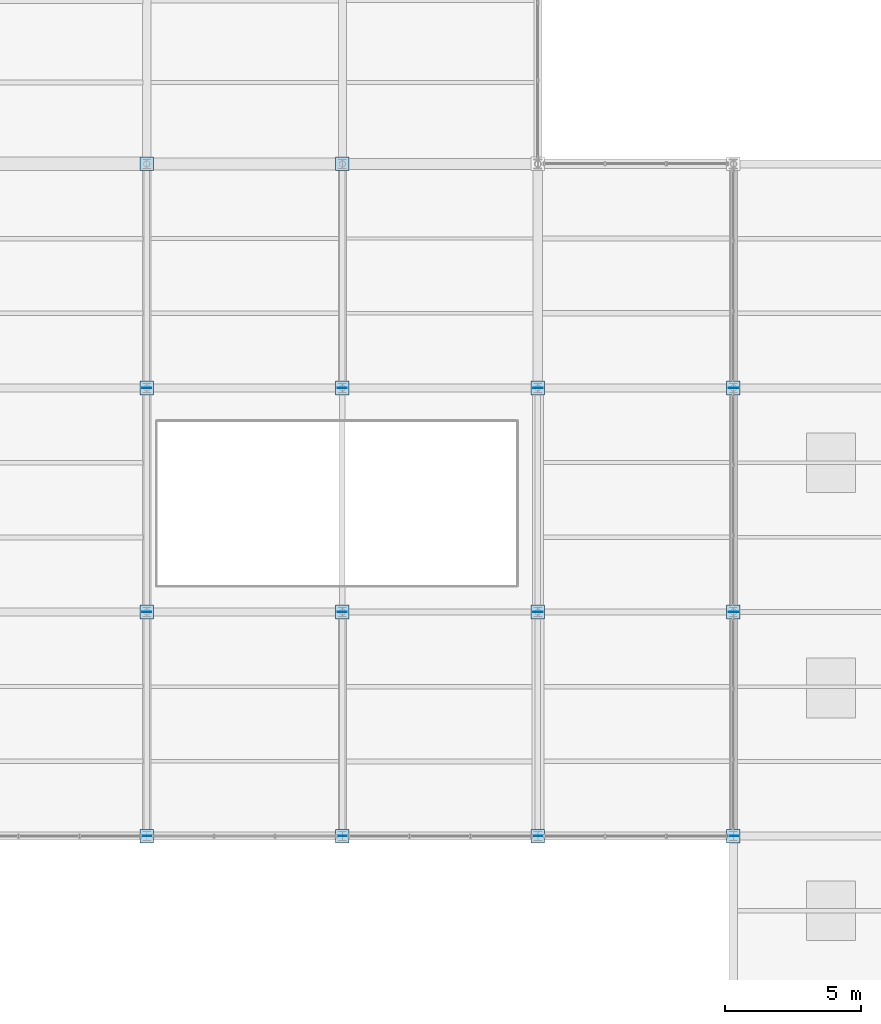
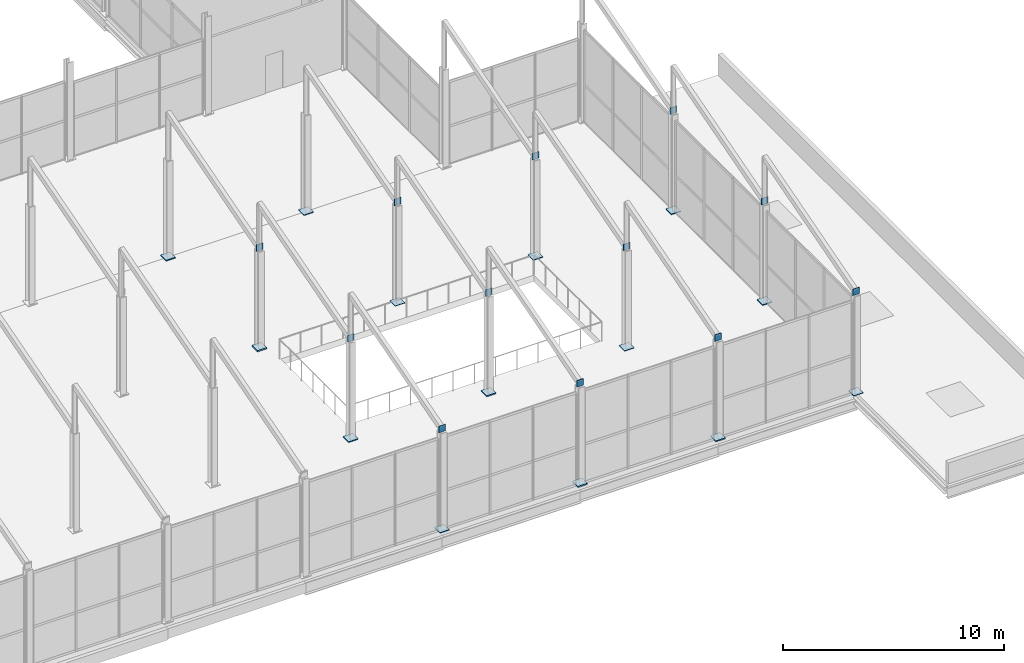
# One storey, part 115 of 141: 26 plates.
"""IFC4 building model written with IfcOpenShell, lengths in metres."""

import ifcopenshell
import ifcopenshell.guid

model = None  # the IFC model being written
_history = None  # IfcOwnerHistory: only IFC2X3 demands one
_inside = {}  # id of a spatial element -> (the spatial element, [elements in it])
_under = {}  # id of a project, library or spatial element -> (it, [spatial elements below it])
_declared = {}  # id of a project -> (the project, [libraries it declares])
_typed = {}  # id of a type object -> (the type object, [elements of that type])
_made_of = {}  # id of a material, layer set ... -> (it, [elements and type objects made of it])


def new_model(schema):
    """Start an empty IFC model of exactly this schema.

    Asked for "IFC4X3", IfcOpenShell would pick the latest addendum, in which some entities
    have other attributes; the version numbers below select the first issue.
    IFC2X3 requires an IfcOwnerHistory on every rooted entity: one is made here for all.
    """
    global model, _history
    if schema == "IFC4X3":
        model = ifcopenshell.file(schema_version=(4, 3, 0, 0))
    else:
        model = ifcopenshell.file(schema=schema)
    _inside.clear()
    _under.clear()
    _declared.clear()
    _typed.clear()
    _made_of.clear()
    _history = None
    if model.schema == "IFC2X3":
        org = make("IfcOrganization", Name="unknown")
        user = make(
            "IfcPersonAndOrganization",
            ThePerson=make("IfcPerson", FamilyName="unknown"),
            TheOrganization=org,
        )
        app = make(
            "IfcApplication",
            ApplicationDeveloper=org,
            Version="unknown",
            ApplicationFullName="unknown",
            ApplicationIdentifier="unknown",
        )
        _history = make(
            "IfcOwnerHistory",
            OwningUser=user,
            OwningApplication=app,
            ChangeAction="ADDED",
            CreationDate=0,
        )
    return model


def make(cls, **values):
    """One entity of the class cls with the attributes given. An attribute that is None is left unset."""
    return model.create_entity(
        cls, **{name: value for name, value in values.items() if value is not None}
    )


def rooted(cls, **values):
    """An entity with a GlobalId (a new one), such as an element, a storey or a relation."""
    return make(cls, GlobalId=ifcopenshell.guid.new(), OwnerHistory=_history, **values)


def si_unit(unit_type, name, prefix=None):
    """IfcSIUnit, for example si_unit("LENGTHUNIT", "METRE", prefix="MILLI")."""
    return make("IfcSIUnit", UnitType=unit_type, Prefix=prefix, Name=name)


def assignment(units):
    """IfcUnitAssignment: the units of a project."""
    return None if units is None else make("IfcUnitAssignment", Units=units)


def point(xyz):
    """IfcCartesianPoint."""
    return None if xyz is None else make("IfcCartesianPoint", Coordinates=xyz)


def direction(xyz):
    """IfcDirection."""
    return None if xyz is None else make("IfcDirection", DirectionRatios=xyz)


def frame(location, z_axis=None, x_axis=None):
    """IfcAxis2Placement3D, a coordinate frame: its origin and axes. An axis left out is left unset."""
    return make(
        "IfcAxis2Placement3D",
        Location=point(location),
        Axis=direction(z_axis),
        RefDirection=direction(x_axis),
    )


def frame_2d(location, x_axis=None):
    """IfcAxis2Placement2D, a coordinate frame in the plane: its origin and x axis."""
    return make(
        "IfcAxis2Placement2D", Location=point(location), RefDirection=direction(x_axis)
    )


def origin():
    """The frame at (0, 0, 0) with its axes left unset."""
    return frame((0.0, 0.0, 0.0))


def origin_2d():
    """The frame at (0, 0) in the plane with its x axis left unset."""
    return frame_2d((0.0, 0.0))


def place(relative_to, where):
    """IfcLocalPlacement: puts the frame where relative to a parent placement (None: the world)."""
    return make(
        "IfcLocalPlacement", PlacementRelTo=relative_to, RelativePlacement=where
    )


def context(
    kind, dimensions, precision=None, world=None, true_north=None, identifier=None
):
    """IfcGeometricRepresentationContext, for example the 3D "Model" context."""
    return make(
        "IfcGeometricRepresentationContext",
        ContextIdentifier=identifier,
        ContextType=kind,
        CoordinateSpaceDimension=dimensions,
        Precision=precision,
        WorldCoordinateSystem=world,
        TrueNorth=true_north,
    )


def subcontext(parent, identifier, kind, view, scale=None):
    """IfcGeometricRepresentationSubContext, for example "Body" below "Model"."""
    return make(
        "IfcGeometricRepresentationSubContext",
        ContextIdentifier=identifier,
        ContextType=kind,
        ParentContext=parent,
        TargetScale=scale,
        TargetView=view,
    )


def project(units=None, contexts=None):
    """IfcProject with its units and contexts."""
    return rooted(
        "IfcProject",
        Name="project",
        RepresentationContexts=contexts,
        UnitsInContext=assignment(units),
    )


def spatial(cls, under=None, at=None, **own):
    """A site, building, storey or space (cls), placed at a placement, below another one or the project."""
    s = rooted(cls, ObjectPlacement=at, **own)
    if under is not None:
        _under.setdefault(under.id(), (under, []))[1].append(s)
    return s


def profile(cls, at=None, kind="AREA", **sizes):
    """A parametric profile (cls). Its sizes go by their IFC names, for example OverallWidth=200.0."""
    return make(cls, ProfileType=kind, Position=at, **sizes)


def rectangle(**sizes):
    """IfcRectangleProfileDef."""
    return profile("IfcRectangleProfileDef", **sizes)


def extrude(swept, where, along, depth):
    """IfcExtrudedAreaSolid: the profile swept, set in the frame where, extruded along a direction by depth."""
    return make(
        "IfcExtrudedAreaSolid",
        SweptArea=swept,
        Position=where,
        ExtrudedDirection=direction(along),
        Depth=depth,
    )


def shape(context_of_items, identifier, shape_type, items):
    """IfcShapeRepresentation: the items that make up one representation, for example the "Body"."""
    return make(
        "IfcShapeRepresentation",
        ContextOfItems=context_of_items,
        RepresentationIdentifier=identifier,
        RepresentationType=shape_type,
        Items=items,
    )


def material(Name=None, Category=None):
    """IfcMaterial."""
    return make("IfcMaterial", Name=Name, Category=Category)


def layer(
    of_material, thickness, ventilated=None, Name=None, Category=None, Priority=None
):
    """IfcMaterialLayer: one layer of a wall or slab, of a material (None: an air gap)."""
    return make(
        "IfcMaterialLayer",
        Material=of_material,
        LayerThickness=thickness,
        IsVentilated=ventilated,
        Name=Name,
        Category=Category,
        Priority=Priority,
    )


def layer_set(layers, Name=None):
    """IfcMaterialLayerSet."""
    return make("IfcMaterialLayerSet", MaterialLayers=layers, LayerSetName=Name)


def made_of(thing, what):
    """Note that an element or type object is made of a material, layer set ...; save() writes the relation."""
    if what is not None:
        _made_of.setdefault(what.id(), (what, []))[1].append(thing)
    return thing


def type_object(cls, material=None, **own):
    """A type object (cls), such as IfcWallType, which elements share."""
    return made_of(rooted(cls, **own), material)


def element(
    cls,
    number,
    at=None,
    inside=None,
    cuts=None,
    type_object=None,
    material=None,
    context=None,
    identifier="Body",
    shape_type=None,
    held_by="IfcProductDefinitionShape",
    body=None,
    shapes=None,
    **own,
):
    """One element of the class cls, such as IfcWall. Its Tag is "e" and its number.

    at: its placement. inside: the storey or other place that contains it. cuts: it is an
    opening in that element (IfcRelVoidsElement). A single representation is given by context,
    identifier, shape_type and body (its items); several are given by shapes. held_by: the class
    of the entity that holds the representations. save() writes the other relations.
    """
    e = rooted(cls, Tag="e%d" % number, ObjectPlacement=at, **own)
    if body is not None:
        shapes = [shape(context, identifier, shape_type, body)]
    if shapes is not None:
        e.Representation = make(held_by, Representations=shapes)
    if inside is not None:
        _inside.setdefault(inside.id(), (inside, []))[1].append(e)
    if cuts is not None:
        rooted(
            "IfcRelVoidsElement", RelatingBuildingElement=cuts, RelatedOpeningElement=e
        )
    if type_object is not None:
        _typed.setdefault(type_object.id(), (type_object, []))[1].append(e)
    return made_of(e, material)


def aggregate(whole, parts):
    """IfcRelAggregates: a whole, such as a stair, and the parts it consists of."""
    return rooted("IfcRelAggregates", RelatingObject=whole, RelatedObjects=parts)


def save(model, path):
    """Write the relations noted so far, then the file.

    IfcRelAggregates (storeys below a building ...), IfcRelContainedInSpatialStructure (elements
    in a storey), IfcRelDefinesByType, IfcRelAssociatesMaterial and IfcRelDeclares: one each for
    every whole, place, type object, material and project.
    """
    for whole, parts in _under.values():
        aggregate(whole, parts)
    for where, things in _inside.values():
        rooted(
            "IfcRelContainedInSpatialStructure",
            RelatedElements=things,
            RelatingStructure=where,
        )
    for kind, things in _typed.values():
        rooted("IfcRelDefinesByType", RelatedObjects=things, RelatingType=kind)
    for what, things in _made_of.values():
        rooted("IfcRelAssociatesMaterial", RelatedObjects=things, RelatingMaterial=what)
    for by, libraries in _declared.values():
        rooted("IfcRelDeclares", RelatingContext=by, RelatedDefinitions=libraries)
    model.write(path)


model = new_model("IFC4")

# Units and contexts
model_context = context("Model", 3, precision=1e-05, world=origin(), true_north=direction((0.0, 1.0)))
body_context = subcontext(model_context, "Body", "Model", "MODEL_VIEW")
ifc_project = project(units=[si_unit("LENGTHUNIT", "METRE"), si_unit("AREAUNIT", "SQUARE_METRE"), si_unit("VOLUMEUNIT", "CUBIC_METRE"), si_unit("PLANEANGLEUNIT", "RADIAN"), si_unit("MASSUNIT", "GRAM", prefix="KILO")], contexts=[model_context])

# Site, building, storey
site_placement = place(None, origin())
site = spatial("IfcSite", under=ifc_project, at=site_placement, CompositionType="ELEMENT")
building_placement = place(site_placement, origin())
building = spatial("IfcBuilding", under=site, at=building_placement, Name="Sundgate Opera House", CompositionType="ELEMENT")
storey_placement = place(building_placement, frame((0.0, 0.0, 11.39990234375)))
storey = spatial("IfcBuildingStorey", under=building, at=storey_placement, Name="L02", CompositionType="ELEMENT", Elevation=11.39990234375)

# Plates
ifc_material_1 = material(Name="Steel S355J2", Category="steel")
ifc_layer_1 = layer(ifc_material_1, 0.02587890625)
ifc_layer_set_1 = layer_set([ifc_layer_1], Name="Steel S355J2")
plate_type_1 = type_object("IfcPlateType", Name="PT-BAS-26", PredefinedType="USERDEFINED", material=ifc_layer_set_1)
plate_1_placement = place(storey_placement, frame((138.60009765625, 24.75, 0.000244140625), z_axis=(0.0, 0.0, 1.0), x_axis=(1.0, 0.0, 0.0)))
element("IfcPlate", 1, at=plate_1_placement, inside=storey, type_object=plate_type_1, Name="L02 Base Plate PT0340", ObjectType="BASE PLATE", PredefinedType="USERDEFINED", context=body_context, shape_type="SweptSolid", body=[
    extrude(rectangle(XDim=0.5, YDim=0.5, at=origin_2d()), origin(), (0.0, 0.0, 1.0), 0.02587890625),
])
for number, where, z_axis, x_axis, name in (
    (2, (131.39990234375, 8.25, 5.3701171875), (0.0, 0.0, 1.0), (1.0, 0.0, 0.0), "Sawtooth Rafter End Cap PT0802"),
    (3, (138.60009765625, 8.25, 5.3701171875), (0.0, 0.0, 1.0), (1.0, 0.0, 0.0), "Sawtooth Rafter End Cap PT0804"),
    (4, (145.800048828125, 8.25, 5.3701171875), (0.0, 0.0, 1.0), (1.0, 0.0, 0.0), "Sawtooth Rafter End Cap PT0806"),
    (5, (153.0, 8.25, 5.3701171875), (0.0, 0.0, 1.0), (1.0, 0.0, 0.0), "Sawtooth Rafter End Cap PT0808"),
    (6, (131.39990234375, 16.5, 5.3701171875), (0.0, 0.0, 1.0), (1.0, 0.0, 0.0), "Sawtooth Rafter End Cap PT0820"),
    (7, (138.60009765625, 16.5, 5.3701171875), (0.0, 0.0, 1.0), (1.0, 0.0, 0.0), "Sawtooth Rafter End Cap PT0822"),
    (8, (145.800048828125, 16.5, 5.3701171875), (0.0, 0.0, 1.0), (1.0, 0.0, 0.0), "Sawtooth Rafter End Cap PT0824"),
    (9, (153.0, 16.5, 5.3701171875), (0.0, 0.0, 1.0), (1.0, 0.0, 0.0), "Sawtooth Rafter End Cap PT0826"),
    (10, (131.39990234375, 24.75, 5.3701171875), (0.0, 0.0, 1.0), (1.0, 0.0, 0.0), "Sawtooth Rafter End Cap PT0838"),
    (11, (138.60009765625, 24.75, 5.3701171875), (0.0, 0.0, 1.0), (1.0, 0.0, 0.0), "Sawtooth Rafter End Cap PT0840"),
    (12, (145.800048828125, 24.75, 5.3701171875), (0.0, 0.0, 1.0), (1.0, 0.0, 0.0), "Sawtooth Rafter End Cap PT0842"),
    (13, (153.0, 24.75, 5.3701171875), (0.0, 0.0, 1.0), (1.0, 0.0, 0.0), "Sawtooth Rafter End Cap PT0844"),
):
    element("IfcPlate", number, at=place(storey_placement, frame(where, z_axis=z_axis, x_axis=x_axis)), inside=storey, type_object=plate_type_1, Name=name, ObjectType="BASE PLATE", PredefinedType="USERDEFINED", context=body_context, shape_type="SweptSolid", body=[
        extrude(rectangle(XDim=0.340087890625, YDim=0.02587890625, at=origin_2d()), origin(), (0.0, 0.0, 1.0), 0.360107421875),
    ])
ifc_material_2 = material(Name="Steel S355J2", Category="steel")
ifc_layer_2 = layer(ifc_material_2, 0.030029296875)
ifc_layer_set_2 = layer_set([ifc_layer_2], Name="Steel S355J2")
plate_type_2 = type_object("IfcPlateType", Name="PT-BAS-30", PredefinedType="USERDEFINED", material=ifc_layer_set_2)
plate_2_placement = place(storey_placement, frame((145.800048828125, 16.5, 0.0), z_axis=(0.0, 0.0, 1.0), x_axis=(1.0, 0.0, 0.0)))
element("IfcPlate", 14, at=plate_2_placement, inside=storey, type_object=plate_type_2, Name="L02 Base Plate PT0359", ObjectType="BASE PLATE", PredefinedType="USERDEFINED", context=body_context, shape_type="SweptSolid", body=[
    extrude(rectangle(XDim=0.5, YDim=0.5, at=origin_2d()), origin(), (0.0, 0.0, 1.0), 0.030029296875),
])
ifc_material_3 = material(Name="Steel S355J2", Category="steel")
ifc_layer_3 = layer(ifc_material_3, 0.033935546875)
ifc_layer_set_3 = layer_set([ifc_layer_3], Name="Steel S355J2")
plate_type_3 = type_object("IfcPlateType", Name="PT-BAS-34", PredefinedType="USERDEFINED", material=ifc_layer_set_3)
for number, where, z_axis, x_axis, name in (
    (15, (138.60009765625, 33.0, 0.0), (0.0, 0.0, 1.0), (1.0, 0.0, 0.0), "L02 Base Plate PT0343"),
    (16, (153.0, 8.25, 0.0), (0.0, 0.0, 1.0), (1.0, 0.0, 0.0), "L02 Base Plate PT0379"),
):
    element("IfcPlate", number, at=place(storey_placement, frame(where, z_axis=z_axis, x_axis=x_axis)), inside=storey, type_object=plate_type_3, Name=name, ObjectType="BASE PLATE", PredefinedType="USERDEFINED", context=body_context, shape_type="SweptSolid", body=[
        extrude(rectangle(XDim=0.5, YDim=0.5, at=origin_2d()), origin(), (0.0, 0.0, 1.0), 0.033935546875),
    ])
ifc_material_4 = material(Name="Steel S355J2", Category="steel")
ifc_layer_4 = layer(ifc_material_4, 0.035888671875)
ifc_layer_set_4 = layer_set([ifc_layer_4], Name="Steel S355J2")
plate_type_4 = type_object("IfcPlateType", Name="PT-BAS-36", PredefinedType="USERDEFINED", material=ifc_layer_set_4)
plate_3_placement = place(storey_placement, frame((145.800048828125, 24.75, 0.0), z_axis=(0.0, 0.0, 1.0), x_axis=(1.0, 0.0, 0.0)))
element("IfcPlate", 17, at=plate_3_placement, inside=storey, type_object=plate_type_4, Name="L02 Base Plate PT0362", ObjectType="BASE PLATE", PredefinedType="USERDEFINED", context=body_context, shape_type="SweptSolid", body=[
    extrude(rectangle(XDim=0.5, YDim=0.5, at=origin_2d()), origin(), (0.0, 0.0, 1.0), 0.035888671875),
])
ifc_material_5 = material(Name="Steel S355J2", Category="steel")
ifc_layer_5 = layer(ifc_material_5, 0.0400390625)
ifc_layer_set_5 = layer_set([ifc_layer_5], Name="Steel S355J2")
plate_type_5 = type_object("IfcPlateType", Name="PT-BAS-40", PredefinedType="USERDEFINED", material=ifc_layer_set_5)
for number, where, z_axis, x_axis, name in (
    (18, (131.39990234375, 8.25, 0.0), (0.0, 0.0, 1.0), (1.0, 0.0, 0.0), "L02 Base Plate PT0315"),
    (19, (153.0, 16.5, 0.0), (0.0, 0.0, 1.0), (1.0, 0.0, 0.0), "L02 Base Plate PT0382"),
):
    element("IfcPlate", number, at=place(storey_placement, frame(where, z_axis=z_axis, x_axis=x_axis)), inside=storey, type_object=plate_type_5, Name=name, ObjectType="BASE PLATE", PredefinedType="USERDEFINED", context=body_context, shape_type="SweptSolid", body=[
        extrude(rectangle(XDim=0.5, YDim=0.5, at=origin_2d()), origin(), (0.0, 0.0, 1.0), 0.0400390625),
    ])
ifc_material_6 = material(Name="Steel S355J2", Category="steel")
ifc_layer_6 = layer(ifc_material_6, 0.050048828125)
ifc_layer_set_6 = layer_set([ifc_layer_6], Name="Steel S355J2")
plate_type_6 = type_object("IfcPlateType", Name="PT-BAS-50", PredefinedType="USERDEFINED", material=ifc_layer_set_6)
for number, where, z_axis, x_axis, name in (
    (20, (131.39990234375, 16.5, 0.0), (0.0, 0.0, 1.0), (1.0, 0.0, 0.0), "L02 Base Plate PT0318"),
    (21, (153.0, 24.75, 0.0), (0.0, 0.0, 1.0), (1.0, 0.0, 0.0), "L02 Base Plate PT0385"),
):
    element("IfcPlate", number, at=place(storey_placement, frame(where, z_axis=z_axis, x_axis=x_axis)), inside=storey, type_object=plate_type_6, Name=name, ObjectType="BASE PLATE", PredefinedType="USERDEFINED", context=body_context, shape_type="SweptSolid", body=[
        extrude(rectangle(XDim=0.5, YDim=0.5, at=origin_2d()), origin(), (0.0, 0.0, 1.0), 0.050048828125),
    ])
ifc_material_7 = material(Name="Steel S355J2", Category="steel")
ifc_layer_7 = layer(ifc_material_7, 0.055908203125)
ifc_layer_set_7 = layer_set([ifc_layer_7], Name="Steel S355J2")
plate_type_7 = type_object("IfcPlateType", Name="PT-BAS-56", PredefinedType="USERDEFINED", material=ifc_layer_set_7)
for number, where, z_axis, x_axis, name in (
    (22, (131.39990234375, 33.0, 0.0), (0.0, 0.0, 1.0), (1.0, 0.0, 0.0), "L02 Base Plate PT0324"),
    (23, (145.800048828125, 8.25, 0.0), (0.0, 0.0, 1.0), (1.0, 0.0, 0.0), "L02 Base Plate PT0356"),
):
    element("IfcPlate", number, at=place(storey_placement, frame(where, z_axis=z_axis, x_axis=x_axis)), inside=storey, type_object=plate_type_7, Name=name, ObjectType="BASE PLATE", PredefinedType="USERDEFINED", context=body_context, shape_type="SweptSolid", body=[
        extrude(rectangle(XDim=0.5, YDim=0.5, at=origin_2d()), origin(), (0.0, 0.0, 1.0), 0.055908203125),
    ])
ifc_material_8 = material(Name="Steel S355J2", Category="steel")
ifc_layer_8 = layer(ifc_material_8, 0.06201171875)
ifc_layer_set_8 = layer_set([ifc_layer_8], Name="Steel S355J2")
plate_type_8 = type_object("IfcPlateType", Name="PT-BAS-62", PredefinedType="USERDEFINED", material=ifc_layer_set_8)
plate_4_placement = place(storey_placement, frame((138.60009765625, 16.5, 0.0), z_axis=(0.0, 0.0, 1.0), x_axis=(1.0, 0.0, 0.0)))
element("IfcPlate", 24, at=plate_4_placement, inside=storey, type_object=plate_type_8, Name="L02 Base Plate PT0337", ObjectType="BASE PLATE", PredefinedType="USERDEFINED", context=body_context, shape_type="SweptSolid", body=[
    extrude(rectangle(XDim=0.5, YDim=0.5, at=origin_2d()), origin(), (0.0, 0.0, 1.0), 0.06201171875),
])
ifc_material_9 = material(Name="Steel S355J2", Category="steel")
ifc_layer_9 = layer(ifc_material_9, 0.068115234375)
ifc_layer_set_9 = layer_set([ifc_layer_9], Name="Steel S355J2")
plate_type_9 = type_object("IfcPlateType", Name="PT-BAS-68", PredefinedType="USERDEFINED", material=ifc_layer_set_9)
for number, where, z_axis, x_axis, name in (
    (25, (131.39990234375, 24.75, 0.0), (0.0, 0.0, 1.0), (1.0, 0.0, 0.0), "L02 Base Plate PT0321"),
    (26, (138.60009765625, 8.25, 0.0), (0.0, 0.0, 1.0), (1.0, 0.0, 0.0), "L02 Base Plate PT0334"),
):
    element("IfcPlate", number, at=place(storey_placement, frame(where, z_axis=z_axis, x_axis=x_axis)), inside=storey, type_object=plate_type_9, Name=name, ObjectType="BASE PLATE", PredefinedType="USERDEFINED", context=body_context, shape_type="SweptSolid", body=[
        extrude(rectangle(XDim=0.5, YDim=0.5, at=origin_2d()), origin(), (0.0, 0.0, 1.0), 0.068115234375),
    ])

save(model, "model.ifc")
